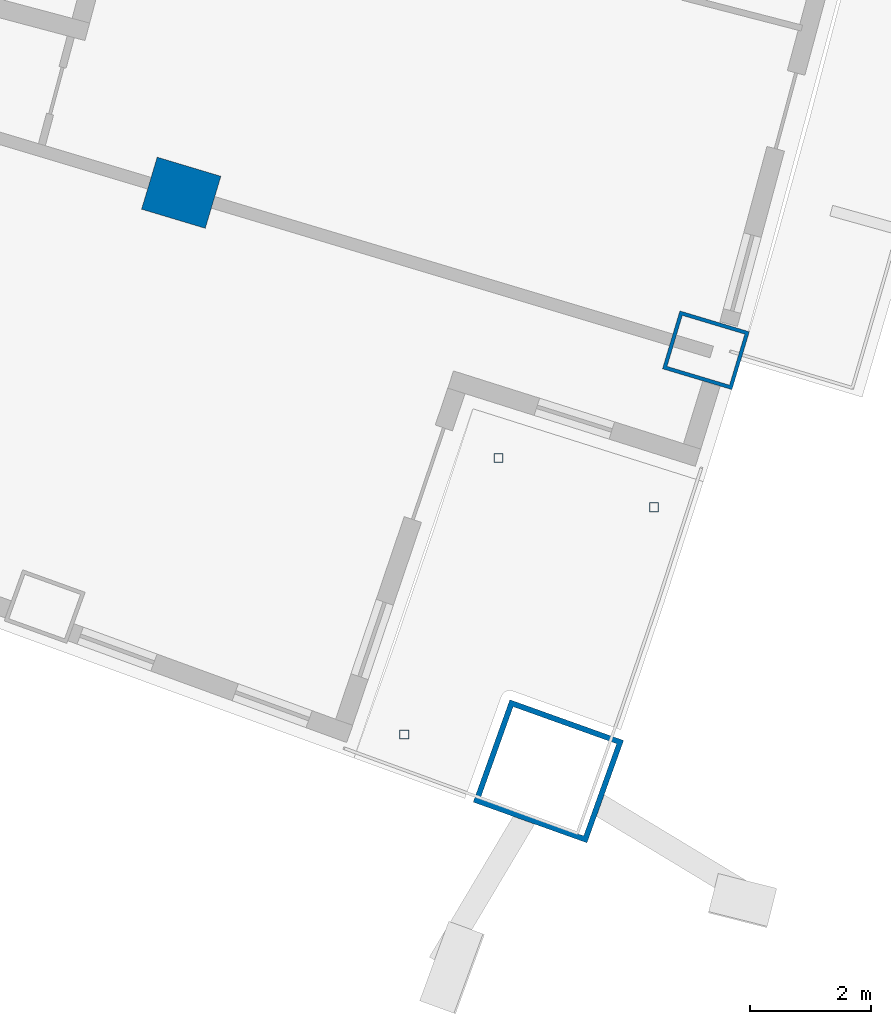
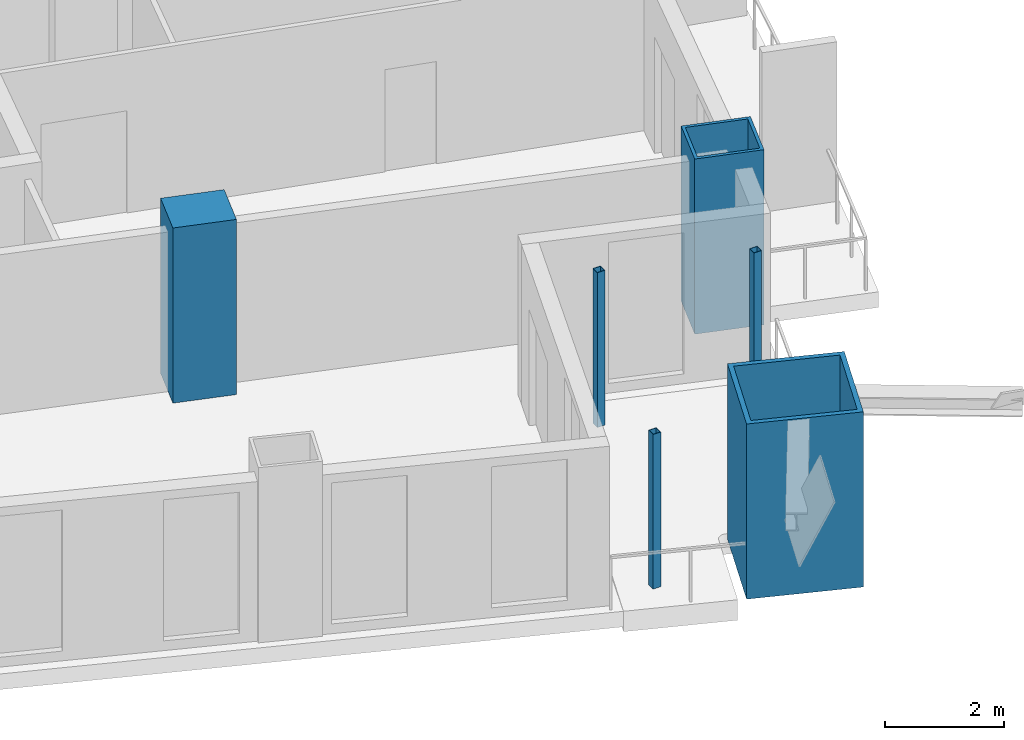
# One storey, part 4 of 22: 6 columns.
"""IFC4 building model written with IfcOpenShell, lengths in metres."""

import ifcopenshell
import ifcopenshell.guid

model = None  # the IFC model being written
_history = None  # IfcOwnerHistory: only IFC2X3 demands one
_inside = {}  # id of a spatial element -> (the spatial element, [elements in it])
_under = {}  # id of a project, library or spatial element -> (it, [spatial elements below it])
_declared = {}  # id of a project -> (the project, [libraries it declares])
_typed = {}  # id of a type object -> (the type object, [elements of that type])
_made_of = {}  # id of a material, layer set ... -> (it, [elements and type objects made of it])


def new_model(schema):
    """Start an empty IFC model of exactly this schema.

    Asked for "IFC4X3", IfcOpenShell would pick the latest addendum, in which some entities
    have other attributes; the version numbers below select the first issue.
    IFC2X3 requires an IfcOwnerHistory on every rooted entity: one is made here for all.
    """
    global model, _history
    if schema == "IFC4X3":
        model = ifcopenshell.file(schema_version=(4, 3, 0, 0))
    else:
        model = ifcopenshell.file(schema=schema)
    _inside.clear()
    _under.clear()
    _declared.clear()
    _typed.clear()
    _made_of.clear()
    _history = None
    if model.schema == "IFC2X3":
        org = make("IfcOrganization", Name="unknown")
        user = make(
            "IfcPersonAndOrganization",
            ThePerson=make("IfcPerson", FamilyName="unknown"),
            TheOrganization=org,
        )
        app = make(
            "IfcApplication",
            ApplicationDeveloper=org,
            Version="unknown",
            ApplicationFullName="unknown",
            ApplicationIdentifier="unknown",
        )
        _history = make(
            "IfcOwnerHistory",
            OwningUser=user,
            OwningApplication=app,
            ChangeAction="ADDED",
            CreationDate=0,
        )
    return model


def make(cls, **values):
    """One entity of the class cls with the attributes given. An attribute that is None is left unset."""
    return model.create_entity(
        cls, **{name: value for name, value in values.items() if value is not None}
    )


def rooted(cls, **values):
    """An entity with a GlobalId (a new one), such as an element, a storey or a relation."""
    return make(cls, GlobalId=ifcopenshell.guid.new(), OwnerHistory=_history, **values)


def si_unit(unit_type, name, prefix=None):
    """IfcSIUnit, for example si_unit("LENGTHUNIT", "METRE", prefix="MILLI")."""
    return make("IfcSIUnit", UnitType=unit_type, Prefix=prefix, Name=name)


def assignment(units):
    """IfcUnitAssignment: the units of a project."""
    return None if units is None else make("IfcUnitAssignment", Units=units)


def point(xyz):
    """IfcCartesianPoint."""
    return None if xyz is None else make("IfcCartesianPoint", Coordinates=xyz)


def direction(xyz):
    """IfcDirection."""
    return None if xyz is None else make("IfcDirection", DirectionRatios=xyz)


def frame(location, z_axis=None, x_axis=None):
    """IfcAxis2Placement3D, a coordinate frame: its origin and axes. An axis left out is left unset."""
    return make(
        "IfcAxis2Placement3D",
        Location=point(location),
        Axis=direction(z_axis),
        RefDirection=direction(x_axis),
    )


def frame_2d(location, x_axis=None):
    """IfcAxis2Placement2D, a coordinate frame in the plane: its origin and x axis."""
    return make(
        "IfcAxis2Placement2D", Location=point(location), RefDirection=direction(x_axis)
    )


def origin():
    """The frame at (0, 0, 0) with its axes left unset."""
    return frame((0.0, 0.0, 0.0))


def origin_2d():
    """The frame at (0, 0) in the plane with its x axis left unset."""
    return frame_2d((0.0, 0.0))


def place(relative_to, where):
    """IfcLocalPlacement: puts the frame where relative to a parent placement (None: the world)."""
    return make(
        "IfcLocalPlacement", PlacementRelTo=relative_to, RelativePlacement=where
    )


def context(
    kind, dimensions, precision=None, world=None, true_north=None, identifier=None
):
    """IfcGeometricRepresentationContext, for example the 3D "Model" context."""
    return make(
        "IfcGeometricRepresentationContext",
        ContextIdentifier=identifier,
        ContextType=kind,
        CoordinateSpaceDimension=dimensions,
        Precision=precision,
        WorldCoordinateSystem=world,
        TrueNorth=true_north,
    )


def subcontext(parent, identifier, kind, view, scale=None):
    """IfcGeometricRepresentationSubContext, for example "Body" below "Model"."""
    return make(
        "IfcGeometricRepresentationSubContext",
        ContextIdentifier=identifier,
        ContextType=kind,
        ParentContext=parent,
        TargetScale=scale,
        TargetView=view,
    )


def project(units=None, contexts=None):
    """IfcProject with its units and contexts."""
    return rooted(
        "IfcProject",
        Name="project",
        RepresentationContexts=contexts,
        UnitsInContext=assignment(units),
    )


def spatial(cls, under=None, at=None, **own):
    """A site, building, storey or space (cls), placed at a placement, below another one or the project."""
    s = rooted(cls, ObjectPlacement=at, **own)
    if under is not None:
        _under.setdefault(under.id(), (under, []))[1].append(s)
    return s


def profile(cls, at=None, kind="AREA", **sizes):
    """A parametric profile (cls). Its sizes go by their IFC names, for example OverallWidth=200.0."""
    return make(cls, ProfileType=kind, Position=at, **sizes)


def rectangle(**sizes):
    """IfcRectangleProfileDef."""
    return profile("IfcRectangleProfileDef", **sizes)


def hollow_rectangle(**sizes):
    """IfcRectangleHollowProfileDef."""
    return profile("IfcRectangleHollowProfileDef", **sizes)


def extrude(swept, where, along, depth):
    """IfcExtrudedAreaSolid: the profile swept, set in the frame where, extruded along a direction by depth."""
    return make(
        "IfcExtrudedAreaSolid",
        SweptArea=swept,
        Position=where,
        ExtrudedDirection=direction(along),
        Depth=depth,
    )


def shape(context_of_items, identifier, shape_type, items):
    """IfcShapeRepresentation: the items that make up one representation, for example the "Body"."""
    return make(
        "IfcShapeRepresentation",
        ContextOfItems=context_of_items,
        RepresentationIdentifier=identifier,
        RepresentationType=shape_type,
        Items=items,
    )


def material(Name=None, Category=None):
    """IfcMaterial."""
    return make("IfcMaterial", Name=Name, Category=Category)


def material_profile(
    of_material, cross_section, Name=None, Category=None, Priority=None
):
    """IfcMaterialProfile: a cross section and its material."""
    return make(
        "IfcMaterialProfile",
        Name=Name,
        Material=of_material,
        Profile=cross_section,
        Priority=Priority,
        Category=Category,
    )


def profile_set(profiles, Name=None, composite=None):
    """IfcMaterialProfileSet."""
    return make(
        "IfcMaterialProfileSet",
        Name=Name,
        MaterialProfiles=profiles,
        CompositeProfile=composite,
    )


def made_of(thing, what):
    """Note that an element or type object is made of a material, layer set ...; save() writes the relation."""
    if what is not None:
        _made_of.setdefault(what.id(), (what, []))[1].append(thing)
    return thing


def type_object(cls, material=None, **own):
    """A type object (cls), such as IfcWallType, which elements share."""
    return made_of(rooted(cls, **own), material)


def element(
    cls,
    number,
    at=None,
    inside=None,
    cuts=None,
    type_object=None,
    material=None,
    context=None,
    identifier="Body",
    shape_type=None,
    held_by="IfcProductDefinitionShape",
    body=None,
    shapes=None,
    **own,
):
    """One element of the class cls, such as IfcWall. Its Tag is "e" and its number.

    at: its placement. inside: the storey or other place that contains it. cuts: it is an
    opening in that element (IfcRelVoidsElement). A single representation is given by context,
    identifier, shape_type and body (its items); several are given by shapes. held_by: the class
    of the entity that holds the representations. save() writes the other relations.
    """
    e = rooted(cls, Tag="e%d" % number, ObjectPlacement=at, **own)
    if body is not None:
        shapes = [shape(context, identifier, shape_type, body)]
    if shapes is not None:
        e.Representation = make(held_by, Representations=shapes)
    if inside is not None:
        _inside.setdefault(inside.id(), (inside, []))[1].append(e)
    if cuts is not None:
        rooted(
            "IfcRelVoidsElement", RelatingBuildingElement=cuts, RelatedOpeningElement=e
        )
    if type_object is not None:
        _typed.setdefault(type_object.id(), (type_object, []))[1].append(e)
    return made_of(e, material)


def aggregate(whole, parts):
    """IfcRelAggregates: a whole, such as a stair, and the parts it consists of."""
    return rooted("IfcRelAggregates", RelatingObject=whole, RelatedObjects=parts)


def save(model, path):
    """Write the relations noted so far, then the file.

    IfcRelAggregates (storeys below a building ...), IfcRelContainedInSpatialStructure (elements
    in a storey), IfcRelDefinesByType, IfcRelAssociatesMaterial and IfcRelDeclares: one each for
    every whole, place, type object, material and project.
    """
    for whole, parts in _under.values():
        aggregate(whole, parts)
    for where, things in _inside.values():
        rooted(
            "IfcRelContainedInSpatialStructure",
            RelatedElements=things,
            RelatingStructure=where,
        )
    for kind, things in _typed.values():
        rooted("IfcRelDefinesByType", RelatedObjects=things, RelatingType=kind)
    for what, things in _made_of.values():
        rooted("IfcRelAssociatesMaterial", RelatedObjects=things, RelatingMaterial=what)
    for by, libraries in _declared.values():
        rooted("IfcRelDeclares", RelatingContext=by, RelatedDefinitions=libraries)
    model.write(path)


model = new_model("IFC4")

# Units and contexts
model_context = context("Model", 3, precision=1e-05, world=origin(), true_north=direction((0.0, 1.0)))
body_context = subcontext(model_context, "Body", "Model", "MODEL_VIEW")
ifc_project = project(units=[si_unit("LENGTHUNIT", "METRE"), si_unit("AREAUNIT", "SQUARE_METRE"), si_unit("VOLUMEUNIT", "CUBIC_METRE"), si_unit("PLANEANGLEUNIT", "RADIAN"), si_unit("MASSUNIT", "GRAM", prefix="KILO")], contexts=[model_context])

# Site, building, storey
site_placement = place(None, origin())
site = spatial("IfcSite", under=ifc_project, at=site_placement, CompositionType="ELEMENT")
building_placement = place(site_placement, origin())
building = spatial("IfcBuilding", under=site, at=building_placement, Name="Alderwake Tower", CompositionType="ELEMENT")
storey_placement = place(building_placement, frame((0.0, 0.0, 50.0)))
storey = spatial("IfcBuildingStorey", under=building, at=storey_placement, Name="L11", CompositionType="ELEMENT", Elevation=50.0)

# Columns
ifc_material_1 = material(Name="Concrete C70/85", Category="concrete")
ifc_material_profile_1 = material_profile(ifc_material_1, rectangle(XDim=0.89990234375, YDim=1.10009765625, at=origin_2d()), Name="RC 1100X900")
ifc_profile_set_1 = profile_set([ifc_material_profile_1], Name="Concrete C70/85")
column_type_1 = type_object("IfcColumnType", Name="Interior column Z1", PredefinedType="COLUMN", material=ifc_profile_set_1)
column_1_placement = place(storey_placement, frame((48.27685546875, 22.487548828125, 0.0), z_axis=(0.0, 0.0, 1.0), x_axis=(0.287549418125, 0.957765802342, 0.0)))
element("IfcColumn", 1, at=column_1_placement, inside=storey, type_object=column_type_1, Name="Column R02-C4", PredefinedType="COLUMN", context=body_context, shape_type="SweptSolid", body=[
    extrude(rectangle(XDim=0.89990234375, YDim=1.10009765625, at=origin_2d()), origin(), (0.0, 0.0, 1.0), 3.60009765625),
])
ifc_material_2 = material(Name="Steel ASTM A500 Grade C", Category="steel")
ifc_material_profile_2 = material_profile(ifc_material_2, hollow_rectangle(XDim=0.15234375, YDim=0.15234375, WallThickness=0.0087890625, at=origin_2d()), Name="HSS6X6X3/8")
ifc_profile_set_2 = profile_set([ifc_material_profile_2], Name="Steel ASTM A500 Grade C")
column_type_2 = type_object("IfcColumnType", Name="Light post HSS6X6X3/8", PredefinedType="COLUMN", material=ifc_profile_set_2)
for number, where, z_axis, x_axis, name in (
    (2, (56.101318359375, 17.283447265625, 0.0), (0.0, 0.0, 1.0), (1.0, 0.0, 0.0), "Terrace post FS1"),
    (3, (51.968505859375, 13.519775390625, 0.0), (0.0, 0.0, 1.0), (1.0, 0.0, 0.0), "Terrace post FS2"),
    (4, (53.52685546875, 18.097412109375, 0.0), (0.0, 0.0, 1.0), (1.0, 0.0, 0.0), "Terrace post FS3"),
):
    element("IfcColumn", number, at=place(storey_placement, frame(where, z_axis=z_axis, x_axis=x_axis)), inside=storey, type_object=column_type_2, Name=name, PredefinedType="COLUMN", context=body_context, shape_type="SweptSolid", body=[
        extrude(hollow_rectangle(XDim=0.15234375, YDim=0.15234375, WallThickness=0.0087890625, at=origin_2d()), origin(), (0.0, 0.0, 1.0), 3.179931640625),
    ])
ifc_material_3 = material(Name="Steel ASTM A572 Grade 50 concrete filled C70/85", Category="concrete")
ifc_material_profile_3 = material_profile(ifc_material_3, hollow_rectangle(XDim=1.800048828125, YDim=2.0, WallThickness=0.090087890625, at=origin_2d()), Name="BOX 2000X1800X90")
ifc_profile_set_3 = profile_set([ifc_material_profile_3], Name="Steel ASTM A572 Grade 50 concrete filled C70/85")
column_type_3 = type_object("IfcColumnType", Name="Mega column Z1", PredefinedType="COLUMN", material=ifc_profile_set_3)
column_2_placement = place(storey_placement, frame((54.353759765625, 12.9130859375, 0.0), z_axis=(0.0, 0.0, 1.0), x_axis=(0.336978590333, 0.941512309881, 0.0)))
element("IfcColumn", 5, at=column_2_placement, inside=storey, type_object=column_type_3, Name="Column R01-C5", PredefinedType="COLUMN", context=body_context, shape_type="SweptSolid", body=[
    extrude(hollow_rectangle(XDim=1.800048828125, YDim=2.0, WallThickness=0.090087890625, at=origin_2d()), origin(), (0.0, 0.0, 1.0), 3.60009765625),
])
ifc_material_4 = material(Name="Steel ASTM A572 Grade 50 concrete filled C70/85", Category="concrete")
ifc_material_profile_4 = material_profile(ifc_material_4, hollow_rectangle(XDim=1.0, YDim=1.199951171875, WallThickness=0.06005859375, at=origin_2d()), Name="BOX 1200X1000X60")
ifc_profile_set_4 = profile_set([ifc_material_profile_4], Name="Steel ASTM A572 Grade 50 concrete filled C70/85")
column_type_4 = type_object("IfcColumnType", Name="Perimeter column Z1", PredefinedType="COLUMN", material=ifc_profile_set_4)
column_3_placement = place(storey_placement, frame((56.96044921875, 19.880615234375, 0.0), z_axis=(0.0, 0.0, 1.0), x_axis=(0.287549418125, 0.957765802342, 0.0)))
element("IfcColumn", 6, at=column_3_placement, inside=storey, type_object=column_type_4, Name="Column R02-C5", PredefinedType="COLUMN", context=body_context, shape_type="SweptSolid", body=[
    extrude(hollow_rectangle(XDim=1.0, YDim=1.199951171875, WallThickness=0.06005859375, at=origin_2d()), origin(), (0.0, 0.0, 1.0), 3.60009765625),
])

save(model, "model.ifc")
